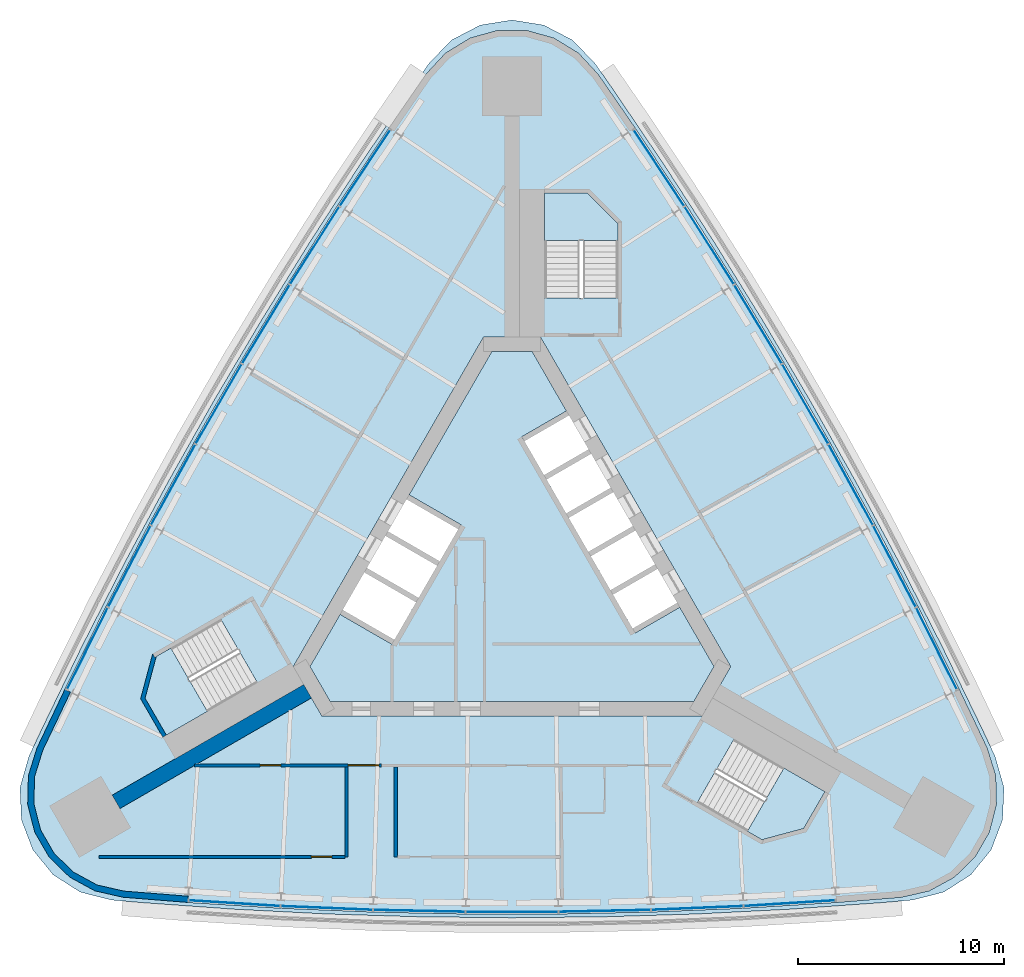
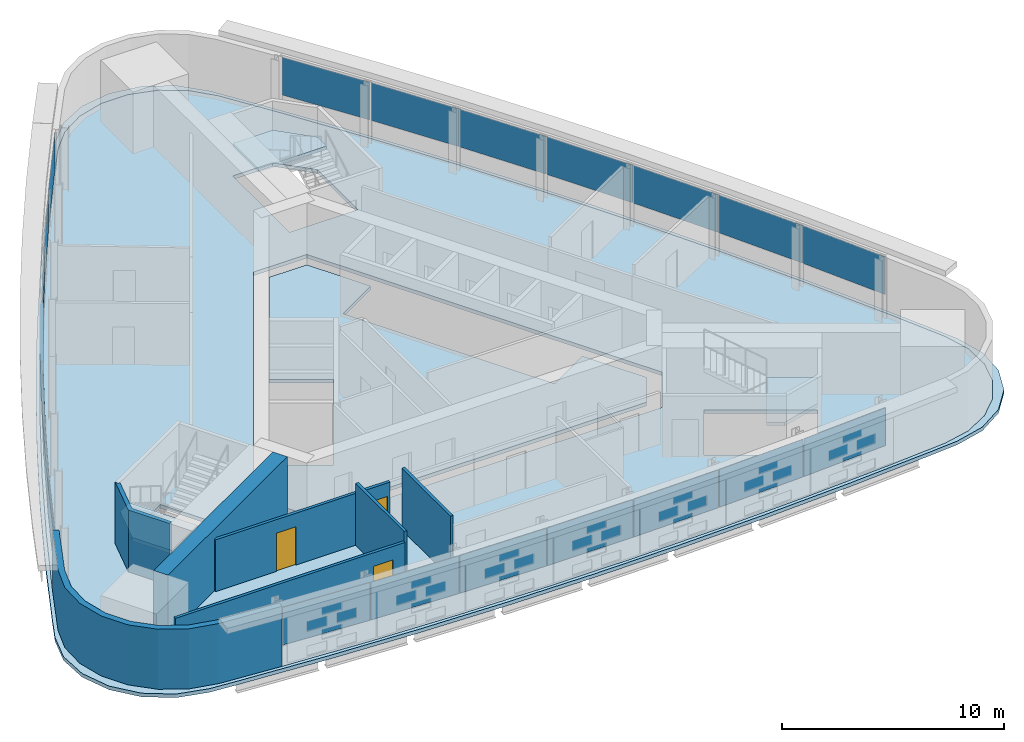
# One storey, part 7 of 12: 21 plates, 7 walls, 6 slabs, 3 doors, 3 openings, 6 elements without a shape of their own.
"""IFC4 building model written with IfcOpenShell, lengths in metres."""

from ifc_helpers import new_model, si_unit, direction, frame, frame_2d, origin, origin_2d, place, context, subcontext, project, spatial, polyline, rectangle, outline, extrude, material, layer, layer_set, type_object, element, fill, aggregate, save


model = new_model("IFC4")

# Units and contexts
model_context = context("Model", 3, precision=1e-05, world=origin(), true_north=direction((0.0, 1.0)))
body_context = subcontext(model_context, "Body", "Model", "MODEL_VIEW")
ifc_project = project(units=[si_unit("LENGTHUNIT", "METRE"), si_unit("AREAUNIT", "SQUARE_METRE"), si_unit("VOLUMEUNIT", "CUBIC_METRE"), si_unit("PLANEANGLEUNIT", "RADIAN"), si_unit("MASSUNIT", "GRAM", prefix="KILO")], contexts=[model_context])

# Site, building, storey
site_placement = place(None, origin())
site = spatial("IfcSite", under=ifc_project, at=site_placement, CompositionType="ELEMENT")
building_placement = place(site_placement, origin())
building = spatial("IfcBuilding", under=site, at=building_placement, Name="Noor Cloister Tower", CompositionType="ELEMENT")
storey_placement = place(building_placement, frame((0.0, 0.0, 150.89990234375)))
storey = spatial("IfcBuildingStorey", under=building, at=storey_placement, Name="L38", CompositionType="ELEMENT", Elevation=150.89990234375)

# Slabs
ifc_material_1 = material(Name="Concrete C40/50", Category="concrete")
ifc_layer_1 = layer(ifc_material_1, 0.199951171875)
ifc_layer_set_1 = layer_set([ifc_layer_1], Name="Core floor slab 200 C40/50")
slab_type_1 = type_object("IfcSlabType", Name="Core floor slab 200 C40/50", PredefinedType="FLOOR", material=ifc_layer_set_1)
slab_1_placement = place(storey_placement, frame((0.0, 0.0, -0.199951171875)))
element("IfcSlab", 1, at=slab_1_placement, inside=storey, type_object=slab_type_1, Name="Core floor L38", PredefinedType="FLOOR", context=body_context, shape_type="SweptSolid", body=[
    extrude(outline(polyline([(2.643798828125, 7.877197265625), (0.9814453125, 10.75634765625), (-0.9814453125, 10.75634765625), (-4.993896484375, 3.806884765625), (-2.482421875, 2.35693359375), (-5.832275390625, -3.4453125), (-8.34375, -1.995361328125), (-9.80615234375, -4.5283203125), (-8.82470703125, -6.228271484375), (8.82470703125, -6.228271484375), (9.80615234375, -4.5283203125), (8.143798828125, -1.64892578125), (5.978759765625, -2.89892578125), (0.478759765625, 6.627197265625), (2.643798828125, 7.877197265625)])), origin(), (0.0, 0.0, 1.0), 0.199951171875),
])
ifc_material_2 = material(Name="Concrete C40/50", Category="concrete")
ifc_layer_2 = layer(ifc_material_2, 0.199951171875)
ifc_layer_set_2 = layer_set([ifc_layer_2], Name="Floor slab 200 C40/50")
slab_type_2 = type_object("IfcSlabType", Name="Floor slab 200 C40/50", PredefinedType="FLOOR", material=ifc_layer_set_2)
slab_2_placement = place(storey_placement, frame((0.0, 0.0, -0.199951171875)))
element("IfcSlab", 2, at=slab_2_placement, inside=storey, type_object=slab_type_2, Name="Floor slab L38", PredefinedType="FLOOR", context=body_context, shape_type="SweptSolid", body=[
    extrude(outline(polyline([(4.174072265625, 24.218505859375), (3.2265625, 25.239990234375), (2.037841796875, 25.966552734375), (0.696533203125, 26.34375), (-0.696533203125, 26.34375), (-2.037841796875, 25.966552734375), (-3.2265625, 25.239990234375), (-4.174072265625, 24.218505859375), (-5.967529296875, 21.615966796875), (-8.455322265625, 17.8662109375), (-10.864990234375, 14.06591796875), (-13.195068359375, 10.21630859375), (-15.445068359375, 6.3193359375), (-17.61376953125, 2.37646484375), (-19.700439453125, -1.610595703125), (-21.703857421875, -5.639892578125), (-23.060791015625, -8.494384765625), (-23.4716796875, -9.82568359375), (-23.506591796875, -11.218505859375), (-23.162841796875, -12.568603515625), (-22.466064453125, -13.775146484375), (-21.46875, -14.748046875), (-20.2451171875, -15.414306640625), (-18.88671875, -15.72412109375), (-15.736083984375, -15.97607421875), (-11.244873046875, -16.255615234375), (-6.7490234375, -16.442138671875), (-2.25, -16.535400390625), (2.25, -16.535400390625), (6.7490234375, -16.442138671875), (11.244873046875, -16.255615234375), (15.736083984375, -15.97607421875), (18.88671875, -15.72412109375), (20.2451171875, -15.414306640625), (21.46875, -14.748046875), (22.466064453125, -13.775146484375), (23.162841796875, -12.568603515625), (23.506591796875, -11.218505859375), (23.4716796875, -9.82568359375), (23.060791015625, -8.494384765625), (21.703857421875, -5.639892578125), (19.700439453125, -1.610595703125), (17.61376953125, 2.37646484375), (15.445068359375, 6.3193359375), (13.195068359375, 10.21630859375), (10.864990234375, 14.06591796875), (8.455322265625, 17.8662109375), (5.967529296875, 21.615966796875), (4.174072265625, 24.218505859375)]), holes=[polyline([(8.999755859375, -11.126220703125), (12.131591796875, -12.934326171875), (14.1572265625, -12.3916015625), (15.19091796875, -10.601318359375), (10.774658203125, -8.0517578125), (8.999755859375, -11.126220703125)]), polyline([(-17.81005859375, -6.064697265625), (-16.776611328125, -7.85498046875), (-12.3603515625, -5.305419921875), (-14.13525390625, -2.23095703125), (-16.662841796875, -3.690185546875), (-17.267333984375, -4.039306640625), (-17.81005859375, -6.064697265625)]), polyline([(-10.6142578125, -4.5283203125), (-9.228759765625, -6.92822265625), (9.228759765625, -6.92822265625), (10.6142578125, -4.5283203125), (1.3857421875, 11.456298828125), (-1.3857421875, 11.456298828125), (-10.6142578125, -4.5283203125)]), polyline([(3.65283203125, 18.456298828125), (1.585693359375, 18.456298828125), (1.585693359375, 13.35693359375), (5.135498046875, 13.35693359375), (5.135498046875, 16.9736328125), (3.65283203125, 18.456298828125)])]), origin(), (0.0, 0.0, 1.0), 0.199951171875),
])

# Curtain wall, plates
ifc_material_3 = material(Name="Aluminium 6063-T6 anodised", Category="aluminium")
curtain_wall_type = type_object("IfcCurtainWallType", Name="Ribbon curtain wall, upper tower CW5", PredefinedType="NOTDEFINED", material=ifc_material_3)
curtain_wall_1_placement = place(storey_placement, origin())
curtain_wall_1 = element("IfcCurtainWall", 3, at=curtain_wall_1_placement, inside=storey, type_object=curtain_wall_type, Name="CW5 L38 NW run 1", PredefinedType="NOTDEFINED")
ifc_material_4 = material(Name="Clear laminated glass 2 x 8 mm", Category="glass")
ifc_layer_3 = layer(ifc_material_4, 0.028076171875)
ifc_layer_set_3 = layer_set([ifc_layer_3], Name="Glass panel CW5")
plate_type = type_object("IfcPlateType", Name="Glass panel CW5", PredefinedType="CURTAIN_PANEL", material=ifc_layer_set_3)
plate_1_placement = place(storey_placement, frame((-7.137451171875, 19.671630859375, 1.08984375), z_axis=(0.0, 0.0, 1.0), x_axis=(-0.552853614998, -0.833278393086, 0.0)))
plate_1 = element("IfcPlate", 4, at=plate_1_placement, type_object=plate_type, Name="CW5 glass panel 1", PredefinedType="CURTAIN_PANEL", context=body_context, shape_type="SweptSolid", body=[
    extrude(rectangle(XDim=4.413818359375, YDim=0.028076171875, at=origin_2d()), origin(), (0.0, 0.0, 1.0), 2.070068359375),
])
plate_2_placement = place(storey_placement, frame((-9.57568359375, 15.91259765625, 1.08984375), z_axis=(0.0, 0.0, 1.0), x_axis=(-0.535463289186, -0.844558503559, 0.0)))
plate_2 = element("IfcPlate", 5, at=plate_2_placement, type_object=plate_type, Name="CW5 glass panel 2", PredefinedType="CURTAIN_PANEL", context=body_context, shape_type="SweptSolid", body=[
    extrude(rectangle(XDim=4.44775390625, YDim=0.028076171875, at=origin_2d()), origin(), (0.0, 0.0, 1.0), 2.070068359375),
])
plate_3_placement = place(storey_placement, frame((-11.944580078125, 12.08935546875, 1.08984375), z_axis=(0.0, 0.0, 1.0), x_axis=(-0.517842893902, -0.855475737374, 0.0)))
plate_3 = element("IfcPlate", 6, at=plate_3_placement, type_object=plate_type, Name="CW5 glass panel 3", PredefinedType="CURTAIN_PANEL", context=body_context, shape_type="SweptSolid", body=[
    extrude(rectangle(XDim=4.44775390625, YDim=0.028076171875, at=origin_2d()), origin(), (0.0, 0.0, 1.0), 2.070068359375),
])
plate_4_placement = place(storey_placement, frame((-14.233642578125, 8.2177734375, 1.08984375), z_axis=(0.0, 0.0, 1.0), x_axis=(-0.5, -0.866025403784, 0.0)))
plate_4 = element("IfcPlate", 7, at=plate_4_placement, type_object=plate_type, Name="CW5 glass panel 4", PredefinedType="CURTAIN_PANEL", context=body_context, shape_type="SweptSolid", body=[
    extrude(rectangle(XDim=4.44775390625, YDim=0.028076171875, at=origin_2d()), origin(), (0.0, 0.0, 1.0), 2.070068359375),
])
plate_5_placement = place(storey_placement, frame((-16.44189453125, 4.299560546875, 1.08984375), z_axis=(0.0, 0.0, 1.0), x_axis=(-0.481942273936, -0.876202969975, 0.0)))
plate_5 = element("IfcPlate", 8, at=plate_5_placement, type_object=plate_type, Name="CW5 glass panel 5", PredefinedType="CURTAIN_PANEL", context=body_context, shape_type="SweptSolid", body=[
    extrude(rectangle(XDim=4.44775390625, YDim=0.028076171875, at=origin_2d()), origin(), (0.0, 0.0, 1.0), 2.070068359375),
])
plate_6_placement = place(storey_placement, frame((-18.568603515625, 0.336669921875, 1.08984375), z_axis=(0.0, 0.0, 1.0), x_axis=(-0.463677474471, -0.886004063009, 0.0)))
plate_6 = element("IfcPlate", 9, at=plate_6_placement, type_object=plate_type, Name="CW5 glass panel 6", PredefinedType="CURTAIN_PANEL", context=body_context, shape_type="SweptSolid", body=[
    extrude(rectangle(XDim=4.44775390625, YDim=0.028076171875, at=origin_2d()), origin(), (0.0, 0.0, 1.0), 2.070068359375),
])
plate_7_placement = place(storey_placement, frame((-20.60498046875, -3.654541015625, 1.08984375), z_axis=(0.0, 0.0, 1.0), x_axis=(-0.445213449338, -0.895424471705, 0.0)))
plate_7 = element("IfcPlate", 10, at=plate_7_placement, type_object=plate_type, Name="CW5 glass panel 7", PredefinedType="CURTAIN_PANEL", context=body_context, shape_type="SweptSolid", body=[
    extrude(rectangle(XDim=4.413818359375, YDim=0.028076171875, at=origin_2d()), origin(), (0.0, 0.0, 1.0), 2.070068359375),
])
aggregate(curtain_wall_1, [plate_1, plate_2, plate_3, plate_4, plate_5, plate_6, plate_7])

curtain_wall_2_placement = place(storey_placement, origin())
curtain_wall_2 = element("IfcCurtainWall", 11, at=curtain_wall_2_placement, inside=storey, type_object=curtain_wall_type, Name="CW5 L38 S run 2", PredefinedType="NOTDEFINED")
plate_8_placement = place(storey_placement, frame((-13.467529296875, -16.01708984375, 1.08984375), z_axis=(0.0, 0.0, 1.0), x_axis=(0.998067064336, -0.06214607862, 0.0)))
plate_8 = element("IfcPlate", 12, at=plate_8_placement, type_object=plate_type, Name="CW5 glass panel 1", PredefinedType="CURTAIN_PANEL", context=body_context, shape_type="SweptSolid", body=[
    extrude(rectangle(XDim=4.413818359375, YDim=0.028076171875, at=origin_2d()), origin(), (0.0, 0.0, 1.0), 2.070068359375),
])
plate_9_placement = place(storey_placement, frame((-8.99267578125, -16.2490234375, 1.08984375), z_axis=(0.0, 0.0, 1.0), x_axis=(0.999140763657, -0.04144555945, 0.0)))
plate_9 = element("IfcPlate", 13, at=plate_9_placement, type_object=plate_type, Name="CW5 glass panel 2", PredefinedType="CURTAIN_PANEL", context=body_context, shape_type="SweptSolid", body=[
    extrude(rectangle(XDim=4.44775390625, YDim=0.028076171875, at=origin_2d()), origin(), (0.0, 0.0, 1.0), 2.070068359375),
])
plate_10_placement = place(storey_placement, frame((-4.497314453125, -16.388916015625, 1.08984375), z_axis=(0.0, 0.0, 1.0), x_axis=(0.999785167838, -0.020727232601, 0.0)))
plate_10 = element("IfcPlate", 14, at=plate_10_placement, type_object=plate_type, Name="CW5 glass panel 3", PredefinedType="CURTAIN_PANEL", context=body_context, shape_type="SweptSolid", body=[
    extrude(rectangle(XDim=4.44775390625, YDim=0.028076171875, at=origin_2d()), origin(), (0.0, 0.0, 1.0), 2.070068359375),
])
plate_11_placement = place(storey_placement, frame((0.0, -16.435546875, 1.08984375), z_axis=(0.0, 0.0, 1.0), x_axis=(1.0, 0.0, 0.0)))
plate_11 = element("IfcPlate", 15, at=plate_11_placement, type_object=plate_type, Name="CW5 glass panel 4", PredefinedType="CURTAIN_PANEL", context=body_context, shape_type="SweptSolid", body=[
    extrude(rectangle(XDim=4.44775390625, YDim=0.028076171875, at=origin_2d()), origin(), (0.0, 0.0, 1.0), 2.070068359375),
])
plate_12_placement = place(storey_placement, frame((4.497314453125, -16.388916015625, 1.08984375), z_axis=(0.0, 0.0, 1.0), x_axis=(0.999785167838, 0.020727232601, 0.0)))
plate_12 = element("IfcPlate", 16, at=plate_12_placement, type_object=plate_type, Name="CW5 glass panel 5", PredefinedType="CURTAIN_PANEL", context=body_context, shape_type="SweptSolid", body=[
    extrude(rectangle(XDim=4.44775390625, YDim=0.028076171875, at=origin_2d()), origin(), (0.0, 0.0, 1.0), 2.070068359375),
])
plate_13_placement = place(storey_placement, frame((8.99267578125, -16.2490234375, 1.08984375), z_axis=(0.0, 0.0, 1.0), x_axis=(0.999140763657, 0.04144555945, 0.0)))
plate_13 = element("IfcPlate", 17, at=plate_13_placement, type_object=plate_type, Name="CW5 glass panel 6", PredefinedType="CURTAIN_PANEL", context=body_context, shape_type="SweptSolid", body=[
    extrude(rectangle(XDim=4.44775390625, YDim=0.028076171875, at=origin_2d()), origin(), (0.0, 0.0, 1.0), 2.070068359375),
])
plate_14_placement = place(storey_placement, frame((13.467529296875, -16.01708984375, 1.08984375), z_axis=(0.0, 0.0, 1.0), x_axis=(0.998067064336, 0.06214607862, 0.0)))
plate_14 = element("IfcPlate", 18, at=plate_14_placement, type_object=plate_type, Name="CW5 glass panel 7", PredefinedType="CURTAIN_PANEL", context=body_context, shape_type="SweptSolid", body=[
    extrude(rectangle(XDim=4.413818359375, YDim=0.028076171875, at=origin_2d()), origin(), (0.0, 0.0, 1.0), 2.070068359375),
])
aggregate(curtain_wall_2, [plate_8, plate_9, plate_10, plate_11, plate_12, plate_13, plate_14])

curtain_wall_3_placement = place(storey_placement, origin())
curtain_wall_3 = element("IfcCurtainWall", 19, at=curtain_wall_3_placement, inside=storey, type_object=curtain_wall_type, Name="CW5 L38 NE run 3", PredefinedType="NOTDEFINED")
plate_15_placement = place(storey_placement, frame((20.60498046875, -3.654541015625, 1.08984375), z_axis=(0.0, 0.0, 1.0), x_axis=(-0.445213449338, 0.895424471705, 0.0)))
plate_15 = element("IfcPlate", 20, at=plate_15_placement, type_object=plate_type, Name="CW5 glass panel 1", PredefinedType="CURTAIN_PANEL", context=body_context, shape_type="SweptSolid", body=[
    extrude(rectangle(XDim=4.413818359375, YDim=0.028076171875, at=origin_2d()), origin(), (0.0, 0.0, 1.0), 2.070068359375),
])
plate_16_placement = place(storey_placement, frame((18.568603515625, 0.336669921875, 1.08984375), z_axis=(0.0, 0.0, 1.0), x_axis=(-0.463677474471, 0.886004063009, 0.0)))
plate_16 = element("IfcPlate", 21, at=plate_16_placement, type_object=plate_type, Name="CW5 glass panel 2", PredefinedType="CURTAIN_PANEL", context=body_context, shape_type="SweptSolid", body=[
    extrude(rectangle(XDim=4.44775390625, YDim=0.028076171875, at=origin_2d()), origin(), (0.0, 0.0, 1.0), 2.070068359375),
])
plate_17_placement = place(storey_placement, frame((16.44189453125, 4.299560546875, 1.08984375), z_axis=(0.0, 0.0, 1.0), x_axis=(-0.481942273936, 0.876202969975, 0.0)))
plate_17 = element("IfcPlate", 22, at=plate_17_placement, type_object=plate_type, Name="CW5 glass panel 3", PredefinedType="CURTAIN_PANEL", context=body_context, shape_type="SweptSolid", body=[
    extrude(rectangle(XDim=4.44775390625, YDim=0.028076171875, at=origin_2d()), origin(), (0.0, 0.0, 1.0), 2.070068359375),
])
plate_18_placement = place(storey_placement, frame((14.233642578125, 8.2177734375, 1.08984375), z_axis=(0.0, 0.0, 1.0), x_axis=(-0.5, 0.866025403784, 0.0)))
plate_18 = element("IfcPlate", 23, at=plate_18_placement, type_object=plate_type, Name="CW5 glass panel 4", PredefinedType="CURTAIN_PANEL", context=body_context, shape_type="SweptSolid", body=[
    extrude(rectangle(XDim=4.44775390625, YDim=0.028076171875, at=origin_2d()), origin(), (0.0, 0.0, 1.0), 2.070068359375),
])
plate_19_placement = place(storey_placement, frame((11.944580078125, 12.08935546875, 1.08984375), z_axis=(0.0, 0.0, 1.0), x_axis=(-0.517842893902, 0.855475737374, 0.0)))
plate_19 = element("IfcPlate", 24, at=plate_19_placement, type_object=plate_type, Name="CW5 glass panel 5", PredefinedType="CURTAIN_PANEL", context=body_context, shape_type="SweptSolid", body=[
    extrude(rectangle(XDim=4.44775390625, YDim=0.028076171875, at=origin_2d()), origin(), (0.0, 0.0, 1.0), 2.070068359375),
])
plate_20_placement = place(storey_placement, frame((9.57568359375, 15.91259765625, 1.08984375), z_axis=(0.0, 0.0, 1.0), x_axis=(-0.535463289186, 0.844558503559, 0.0)))
plate_20 = element("IfcPlate", 25, at=plate_20_placement, type_object=plate_type, Name="CW5 glass panel 6", PredefinedType="CURTAIN_PANEL", context=body_context, shape_type="SweptSolid", body=[
    extrude(rectangle(XDim=4.44775390625, YDim=0.028076171875, at=origin_2d()), origin(), (0.0, 0.0, 1.0), 2.070068359375),
])
plate_21_placement = place(storey_placement, frame((7.137451171875, 19.671630859375, 1.08984375), z_axis=(0.0, 0.0, 1.0), x_axis=(-0.552853614998, 0.833278393086, 0.0)))
plate_21 = element("IfcPlate", 26, at=plate_21_placement, type_object=plate_type, Name="CW5 glass panel 7", PredefinedType="CURTAIN_PANEL", context=body_context, shape_type="SweptSolid", body=[
    extrude(rectangle(XDim=4.413818359375, YDim=0.028076171875, at=origin_2d()), origin(), (0.0, 0.0, 1.0), 2.070068359375),
])
aggregate(curtain_wall_3, [plate_15, plate_16, plate_17, plate_18, plate_19, plate_20, plate_21])

# Slab
ifc_material_5 = material(Name="Concrete C40/50", Category="concrete")
ifc_layer_4 = layer(ifc_material_5, 0.199951171875)
ifc_layer_set_4 = layer_set([ifc_layer_4], Name="Ledge roof 200 C40/50")
slab_type_3 = type_object("IfcSlabType", Name="Ledge roof 200 C40/50", PredefinedType="ROOF", material=ifc_layer_set_4)
slab_3_placement = place(storey_placement, frame((0.0, 0.0, -0.199951171875)))
element("IfcSlab", 27, at=slab_3_placement, inside=storey, type_object=slab_type_3, Name="Ledge roof L38", PredefinedType="ROOF", context=body_context, shape_type="SweptSolid", body=[
    extrude(outline(polyline([(4.853271484375, 23.5634765625), (4.013916015625, 24.76708984375), (2.92529296875, 25.88525390625), (1.54052734375, 26.604736328125), (0.0, 26.85302734375), (-1.54052734375, 26.604736328125), (-2.92529296875, 25.88525390625), (-4.013916015625, 24.76708984375), (-4.853271484375, 23.5634765625), (-7.376953125, 19.837646484375), (-9.823486328125, 16.06103515625), (-12.1923828125, 12.235107421875), (-14.482177734375, 8.361328125), (-16.69189453125, 4.44140625), (-18.821044921875, 0.47705078125), (-20.868408203125, -3.5302734375), (-22.833251953125, -7.57861328125), (-23.455810546875, -8.907470703125), (-23.8798828125, -10.4091796875), (-23.810791015625, -11.96826171875), (-23.25537109375, -13.426513671875), (-22.27001953125, -14.636474609375), (-20.95458984375, -15.47607421875), (-19.44189453125, -15.859619140625), (-17.979736328125, -15.98486328125), (-13.491455078125, -16.307373046875), (-8.99755859375, -16.5380859375), (-4.499755859375, -16.67626953125), (0.0, -16.722412109375), (4.499755859375, -16.67626953125), (8.99755859375, -16.5380859375), (13.491455078125, -16.307373046875), (17.979736328125, -15.98486328125), (19.44189453125, -15.859619140625), (20.95458984375, -15.47607421875), (22.27001953125, -14.636474609375), (23.25537109375, -13.426513671875), (23.810791015625, -11.96826171875), (23.8798828125, -10.4091796875), (23.455810546875, -8.907470703125), (22.833251953125, -7.57861328125), (20.868408203125, -3.5302734375), (18.821044921875, 0.47705078125), (16.69189453125, 4.44140625), (14.482177734375, 8.361328125), (12.1923828125, 12.235107421875), (9.823486328125, 16.06103515625), (7.376953125, 19.837646484375), (4.853271484375, 23.5634765625)]), holes=[polyline([(2.037841796875, 25.966552734375), (0.696533203125, 26.34375), (-0.696533203125, 26.34375), (-2.037841796875, 25.966552734375), (-3.2265625, 25.239990234375), (-4.174072265625, 24.218505859375), (-5.967529296875, 21.615966796875), (-8.455322265625, 17.8662109375), (-10.864990234375, 14.06591796875), (-13.195068359375, 10.21630859375), (-15.445068359375, 6.3193359375), (-17.61376953125, 2.37646484375), (-19.700439453125, -1.610595703125), (-21.703857421875, -5.639892578125), (-23.060791015625, -8.494384765625), (-23.4716796875, -9.82568359375), (-23.506591796875, -11.218505859375), (-23.162841796875, -12.568603515625), (-22.466064453125, -13.775146484375), (-21.46875, -14.748046875), (-20.2451171875, -15.414306640625), (-18.88671875, -15.72412109375), (-15.736083984375, -15.97607421875), (-11.244873046875, -16.255615234375), (-6.7490234375, -16.442138671875), (-2.25, -16.535400390625), (2.25, -16.535400390625), (6.7490234375, -16.442138671875), (11.244873046875, -16.255615234375), (15.736083984375, -15.97607421875), (18.88671875, -15.72412109375), (20.2451171875, -15.414306640625), (21.46875, -14.748046875), (22.466064453125, -13.775146484375), (23.162841796875, -12.568603515625), (23.506591796875, -11.218505859375), (23.4716796875, -9.82568359375), (23.060791015625, -8.494384765625), (21.703857421875, -5.639892578125), (19.700439453125, -1.610595703125), (17.61376953125, 2.37646484375), (15.445068359375, 6.3193359375), (13.195068359375, 10.21630859375), (10.864990234375, 14.06591796875), (8.455322265625, 17.8662109375), (5.967529296875, 21.615966796875), (4.174072265625, 24.218505859375), (3.2265625, 25.239990234375), (2.037841796875, 25.966552734375)])]), origin(), (0.0, 0.0, 1.0), 0.199951171875),
])

# Stair, slab
ifc_material_6 = material(Name="Concrete C40/50", Category="concrete")
stair_type = type_object("IfcStairType", Name="Exit stair 22 risers", PredefinedType="HALF_TURN_STAIR", material=ifc_material_6)
stair_1_placement = place(storey_placement, origin())
stair_1 = element("IfcStair", 28, at=stair_1_placement, inside=storey, type_object=stair_type, Name="Exit stair ST1 L38", PredefinedType="HALF_TURN_STAIR")
ifc_material_7 = material(Name="Concrete C40/50", Category="concrete")
ifc_layer_5 = layer(ifc_material_7, 0.199951171875)
ifc_layer_set_5 = layer_set([ifc_layer_5], Name="Stair landing 200 C40/50")
slab_type_4 = type_object("IfcSlabType", Name="Stair landing 200 C40/50", PredefinedType="LANDING", material=ifc_layer_set_5)
slab_4_placement = place(storey_placement, frame((0.0, 0.0, 1.60009765625)))
slab_4 = element("IfcSlab", 29, at=slab_4_placement, type_object=slab_type_4, Name="ST1 landing 1", PredefinedType="LANDING", context=body_context, shape_type="SweptSolid", body=[
    extrude(outline(polyline([(5.135498046875, 16.15576171875), (5.135498046875, 16.9736328125), (3.65283203125, 18.456298828125), (1.585693359375, 18.456298828125), (1.585693359375, 16.15576171875), (5.135498046875, 16.15576171875)])), origin(), (0.0, 0.0, 1.0), 0.199951171875),
])
aggregate(stair_1, [slab_4])

stair_2_placement = place(storey_placement, origin())
stair_2 = element("IfcStair", 30, at=stair_2_placement, inside=storey, type_object=stair_type, Name="Exit stair ST2 L38", PredefinedType="HALF_TURN_STAIR")
slab_5_placement = place(storey_placement, frame((0.0, 0.0, 1.60009765625)))
slab_5 = element("IfcSlab", 31, at=slab_5_placement, type_object=slab_type_4, Name="ST2 landing 1", PredefinedType="LANDING", context=body_context, shape_type="SweptSolid", body=[
    extrude(outline(polyline([(-16.55908203125, -3.63037109375), (-17.267333984375, -4.039306640625), (-17.81005859375, -6.064697265625), (-16.776611328125, -7.85498046875), (-14.7841796875, -6.70458984375), (-16.55908203125, -3.63037109375)])), origin(), (0.0, 0.0, 1.0), 0.199951171875),
])
aggregate(stair_2, [slab_5])

stair_3_placement = place(storey_placement, origin())
stair_3 = element("IfcStair", 32, at=stair_3_placement, inside=storey, type_object=stair_type, Name="Exit stair ST3 L38", PredefinedType="HALF_TURN_STAIR")
slab_6_placement = place(storey_placement, frame((0.0, 0.0, 1.60009765625)))
slab_6 = element("IfcSlab", 33, at=slab_6_placement, type_object=slab_type_4, Name="ST3 landing 1", PredefinedType="LANDING", context=body_context, shape_type="SweptSolid", body=[
    extrude(outline(polyline([(11.423583984375, -12.525390625), (12.131591796875, -12.934326171875), (14.1572265625, -12.3916015625), (15.19091796875, -10.601318359375), (13.198486328125, -9.451171875), (11.423583984375, -12.525390625)])), origin(), (0.0, 0.0, 1.0), 0.199951171875),
])
aggregate(stair_3, [slab_6])

# Wall
ifc_material_8 = material(Name="Concrete C70/85", Category="concrete")
ifc_layer_6 = layer(ifc_material_8, 0.75)
ifc_layer_set_6 = layer_set([ifc_layer_6], Name="Buttress wall 750 C70/85")
wall_type_1 = type_object("IfcWallType", Name="Buttress wall 750 C70/85", PredefinedType="SHEAR", material=ifc_layer_set_6)
wall_1_placement = place(storey_placement, frame((-9.921630859375, -5.728271484375, -0.199951171875), z_axis=(0.0, 0.0, 1.0), x_axis=(-0.86602614826, -0.499998710529, 0.0)))
element("IfcWall", 34, at=wall_1_placement, inside=storey, type_object=wall_type_1, Name="Buttress wall SW L38", PredefinedType="SHEAR", context=body_context, shape_type="SweptSolid", body=[
    extrude(rectangle(XDim=10.7353515625, YDim=0.75, at=frame_2d((5.36767578125, 0.0))), origin(), (0.0, 0.0, 1.0), 3.60009765625),
])

# Wall, openings, doors
ifc_material_9 = material(Name="Gypsum board partition on steel studs, 150 mm", Category="steel")
ifc_layer_7 = layer(ifc_material_9, 0.14990234375)
ifc_layer_set_7 = layer_set([ifc_layer_7], Name="Flat wall 150")
wall_type_2 = type_object("IfcWallType", Name="Flat wall 150", PredefinedType="PARTITIONING", material=ifc_layer_set_7)
wall_2_placement = place(storey_placement, frame((-15.406982421875, -9.328125, 0.0), z_axis=(0.0, 0.0, 1.0), x_axis=(1.0, 0.0, 0.0)))
wall_2 = element("IfcWall", 35, at=wall_2_placement, inside=storey, type_object=wall_type_2, Name="Wall L38-W06", PredefinedType="PARTITIONING", context=body_context, shape_type="SweptSolid", body=[
    extrude(rectangle(XDim=9.079345703125, YDim=0.14990234375, at=frame_2d((4.53955078125, 0.0))), origin(), (0.0, 0.0, 1.0), 2.84716796875),
])
opening_1_placement = place(wall_2_placement, frame((7.44775390625, 0.0, 0.0)))
opening_1 = element("IfcOpeningElement", 36, at=opening_1_placement, cuts=wall_2, Name="Opening L38-004", PredefinedType="OPENING", context=body_context, shape_type="SweptSolid", body=[
    extrude(rectangle(XDim=1.5, YDim=2.10009765625, at=frame_2d((0.75, 1.050048828125))), frame((0.0, 0.0849609375, 0.0), z_axis=(0.0, -1.0, 0.0), x_axis=(1.0, 0.0, 0.0)), (0.0, 0.0, 1.0), 0.169921875),
])
opening_2_placement = place(wall_2_placement, frame((3.18310546875, 0.0, 0.0)))
opening_2 = element("IfcOpeningElement", 37, at=opening_2_placement, cuts=wall_2, Name="Opening L38-006", PredefinedType="OPENING", context=body_context, shape_type="SweptSolid", body=[
    extrude(rectangle(XDim=1.0, YDim=2.10009765625, at=frame_2d((0.5, 1.050048828125))), frame((0.0, 0.0849609375, 0.0), z_axis=(0.0, -1.0, 0.0), x_axis=(1.0, 0.0, 0.0)), (0.0, 0.0, 1.0), 0.169921875),
])
ifc_material_10 = material(Name="Timber door leaf with steel frame", Category="steel")
door_type_1 = type_object("IfcDoorType", Name="Double door 1500 FD60", OperationType="NOTDEFINED", PredefinedType="DOOR", material=ifc_material_10)
door_1_placement = place(opening_1_placement, origin())
door_1 = element("IfcDoor", 38, at=door_1_placement, inside=storey, type_object=door_type_1, Name="Door L38-004", OperationType="DOUBLE_DOOR_SINGLE_SWING", OverallHeight=2.10009765625, OverallWidth=1.5, PredefinedType="DOOR", context=body_context, shape_type="SweptSolid", body=[
    extrude(rectangle(XDim=1.5, YDim=2.10009765625, at=frame_2d((0.75, 1.050048828125))), frame((0.0, 0.02490234375, 0.0), z_axis=(0.0, -1.0, 0.0), x_axis=(1.0, 0.0, 0.0)), (0.0, 0.0, 1.0), 0.050048828125),
])
fill(opening_1, door_1)
ifc_material_11 = material(Name="Timber door leaf with steel frame", Category="steel")
door_type_2 = type_object("IfcDoorType", Name="Interior door 1000 FD60", OperationType="NOTDEFINED", PredefinedType="DOOR", material=ifc_material_11)
door_2_placement = place(opening_2_placement, origin())
door_2 = element("IfcDoor", 39, at=door_2_placement, inside=storey, type_object=door_type_2, Name="Door L38-006", OperationType="SINGLE_SWING_RIGHT", OverallHeight=2.10009765625, OverallWidth=1.0, PredefinedType="DOOR", context=body_context, shape_type="SweptSolid", body=[
    extrude(rectangle(XDim=1.0, YDim=2.10009765625, at=frame_2d((0.5, 1.050048828125))), frame((0.0, 0.02490234375, 0.0), z_axis=(0.0, -1.0, 0.0), x_axis=(1.0, 0.0, 0.0)), (0.0, 0.0, 1.0), 0.050048828125),
])
fill(opening_2, door_2)

# Walls
for number, where, z_axis, x_axis, name in (
    (40, (-8.040771484375, -9.4033203125, 0.0), (0.0, 0.0, 1.0), (0.0, -1.0, 0.0), "Wall L38-W10"),
    (41, (-5.640869140625, -9.4033203125, 0.0), (0.0, 0.0, 1.0), (0.0, -1.0, 0.0), "Wall L38-W11"),
):
    element("IfcWall", number, at=place(storey_placement, frame(where, z_axis=z_axis, x_axis=x_axis)), inside=storey, type_object=wall_type_2, Name=name, PredefinedType="PARTITIONING", context=body_context, shape_type="SweptSolid", body=[
        extrude(rectangle(XDim=4.36279296875, YDim=0.14990234375, at=frame_2d((2.181396484375, 0.0))), origin(), (0.0, 0.0, 1.0), 3.400146484375),
    ])

# Wall, opening, door
wall_3_placement = place(storey_placement, frame((-20.04345703125, -13.76611328125, 0.0), z_axis=(0.0, 0.0, 1.0), x_axis=(1.0, 0.0, 0.0)))
wall_3 = element("IfcWall", 42, at=wall_3_placement, inside=storey, type_object=wall_type_2, Name="Wall L38-W12", PredefinedType="PARTITIONING", context=body_context, shape_type="SweptSolid", body=[
    extrude(rectangle(XDim=11.927490234375, YDim=0.14990234375, at=frame_2d((5.9638671875, 0.0))), origin(), (0.0, 0.0, 1.0), 2.84716796875),
])
opening_3_placement = place(wall_3_placement, frame((10.302734375, 0.0, 0.0)))
opening_3 = element("IfcOpeningElement", 43, at=opening_3_placement, cuts=wall_3, Name="Opening L38-005", PredefinedType="OPENING", context=body_context, shape_type="SweptSolid", body=[
    extrude(rectangle(XDim=1.0, YDim=2.10009765625, at=frame_2d((0.5, 1.050048828125))), frame((0.0, 0.0849609375, 0.0), z_axis=(0.0, -1.0, 0.0), x_axis=(1.0, 0.0, 0.0)), (0.0, 0.0, 1.0), 0.169921875),
])
door_3_placement = place(opening_3_placement, origin())
door_3 = element("IfcDoor", 44, at=door_3_placement, inside=storey, type_object=door_type_2, Name="Door L38-005", OperationType="SINGLE_SWING_LEFT", OverallHeight=2.10009765625, OverallWidth=1.0, PredefinedType="DOOR", context=body_context, shape_type="SweptSolid", body=[
    extrude(rectangle(XDim=1.0, YDim=2.10009765625, at=frame_2d((0.5, 1.050048828125))), frame((0.0, 0.02490234375, 0.0), z_axis=(0.0, -1.0, 0.0), x_axis=(1.0, 0.0, 0.0)), (0.0, 0.0, 1.0), 0.050048828125),
])
fill(opening_3, door_3)

# Walls
ifc_material_12 = material(Name="Limestone", Category="masonry")
ifc_layer_8 = layer(ifc_material_12, 0.300048828125)
ifc_layer_set_8 = layer_set([ifc_layer_8], Name="Limestone cladding 300")
wall_type_3 = type_object("IfcWallType", Name="Limestone cladding 300", PredefinedType="NOTDEFINED", material=ifc_layer_set_8)
wall_4_placement = place(storey_placement, origin())
element("IfcWall", 45, at=wall_4_placement, inside=storey, type_object=wall_type_3, Name="Limestone pier cladding L38 1.1", PredefinedType="NOTDEFINED", context=body_context, shape_type="SweptSolid", body=[
    extrude(outline(polyline([(-21.703857421875, -5.639892578125), (-23.060791015625, -8.494384765625), (-23.4716796875, -9.82568359375), (-23.506591796875, -11.218505859375), (-23.162841796875, -12.568603515625), (-22.466064453125, -13.775146484375), (-21.46875, -14.748046875), (-20.2451171875, -15.414306640625), (-18.88671875, -15.72412109375), (-15.736083984375, -15.97607421875), (-15.712158203125, -15.677001953125), (-18.84130859375, -15.4267578125), (-20.137939453125, -15.130859375), (-21.288818359375, -14.50439453125), (-22.22705078125, -13.58935546875), (-22.88232421875, -12.45458984375), (-23.20556640625, -11.1845703125), (-23.1728515625, -9.87451171875), (-22.780517578125, -8.603515625), (-21.432861328125, -5.768798828125), (-21.703857421875, -5.639892578125)])), origin(), (0.0, 0.0, 1.0), 3.300048828125),
])
ifc_material_13 = material(Name="Concrete C70/85", Category="concrete")
wall_type_4 = type_object("IfcWallType", Name="Stair far end wall C70/85", PredefinedType="SHEAR", material=ifc_material_13)
wall_5_placement = place(storey_placement, frame((0.0, 0.0, -0.199951171875)))
element("IfcWall", 46, at=wall_5_placement, inside=storey, type_object=wall_type_4, Name="Stair enclosure wall ST2 L38 far end", PredefinedType="SHEAR", context=body_context, shape_type="SweptSolid", body=[
    extrude(outline(polyline([(-17.439208984375, -3.907470703125), (-18.024658203125, -6.093017578125), (-16.94970703125, -7.955078125), (-16.776611328125, -7.85498046875), (-17.81005859375, -6.064697265625), (-17.267333984375, -4.039306640625), (-17.339111328125, -4.08056640625), (-17.339111328125, -4.08056640625), (-17.339111328125, -4.08056640625), (-17.339111328125, -4.08056640625), (-17.339111328125, -4.08056640625), (-17.339111328125, -4.08056640625), (-17.339111328125, -4.08056640625), (-17.339111328125, -4.08056640625), (-17.339111328125, -4.08056640625), (-17.339111328125, -4.08056640625), (-17.339111328125, -4.08056640625), (-17.339111328125, -4.08056640625), (-17.339111328125, -4.08056640625), (-17.339111328125, -4.08056640625), (-17.339111328125, -4.08056640625), (-17.339111328125, -4.08056640625), (-17.339111328125, -4.08056640625), (-17.439208984375, -3.907470703125)])), origin(), (0.0, 0.0, 1.0), 3.60009765625),
])

save(model, "model.ifc")
